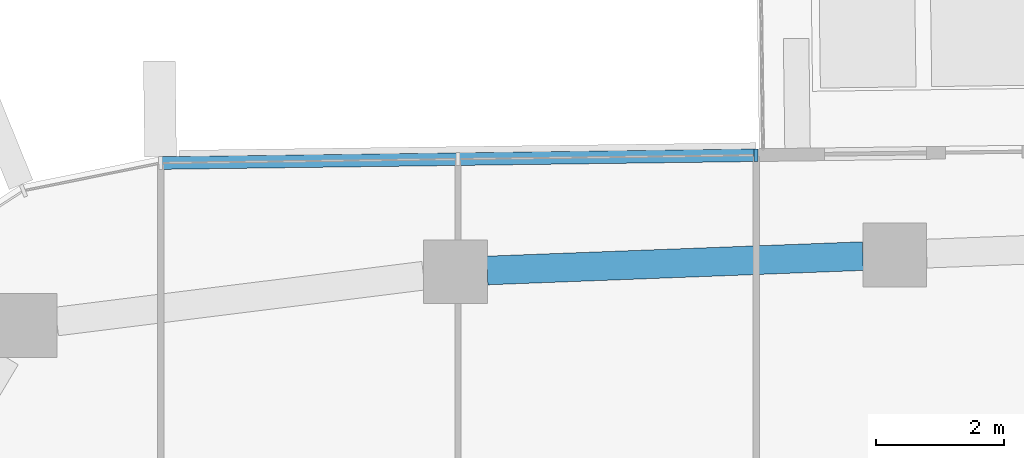
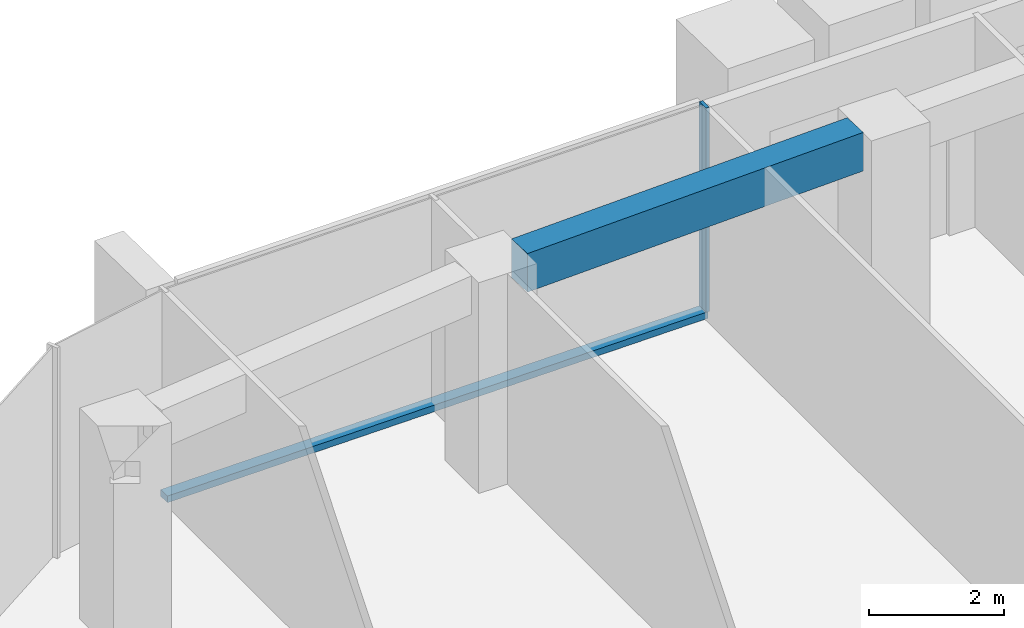
# One storey, part 7 of 23: 2 members, 1 beam, 1 element without a shape of its own.
"""IFC4 building model written with IfcOpenShell, lengths in metres."""

from ifc_helpers import new_model, si_unit, direction, frame, origin, origin_2d, place, context, subcontext, project, spatial, rectangle, extrude, material, layer, layer_set, material_profile, profile_set, type_object, element, aggregate, save


model = new_model("IFC4")

# Units and contexts
model_context = context("Model", 3, precision=1e-05, world=origin(), true_north=direction((0.0, 1.0)))
body_context = subcontext(model_context, "Body", "Model", "MODEL_VIEW")
ifc_project = project(units=[si_unit("LENGTHUNIT", "METRE"), si_unit("AREAUNIT", "SQUARE_METRE"), si_unit("VOLUMEUNIT", "CUBIC_METRE"), si_unit("PLANEANGLEUNIT", "RADIAN"), si_unit("MASSUNIT", "GRAM", prefix="KILO")], contexts=[model_context])

# Site, building, storey
site_placement = place(None, origin())
site = spatial("IfcSite", under=ifc_project, at=site_placement, CompositionType="ELEMENT")
building_placement = place(site_placement, origin())
building = spatial("IfcBuilding", under=site, at=building_placement, Name="Dongbaek Canopy Tower", CompositionType="ELEMENT")
storey_placement = place(building_placement, frame((0.0, 0.0, 336.199951171875)))
storey = spatial("IfcBuildingStorey", under=building, at=storey_placement, Name="L72", CompositionType="ELEMENT", Elevation=336.199951171875)

# Curtain wall, members
ifc_material_1 = material(Name="Aluminium 6063-T6 pale anodised", Category="aluminium")
ifc_layer = layer(ifc_material_1, 0.199951171875)
ifc_layer_set = layer_set([ifc_layer], Name="CW-1 unitised tower curtain wall")
curtain_wall_type = type_object("IfcCurtainWallType", Name="CW-1 unitised tower curtain wall", PredefinedType="NOTDEFINED", material=ifc_layer_set)
curtain_wall_placement = place(storey_placement, origin())
curtain_wall = element("IfcCurtainWall", 1, at=curtain_wall_placement, inside=storey, type_object=curtain_wall_type, Name="CW-1 curtain wall F1.1", PredefinedType="NOTDEFINED")
ifc_material_2 = material(Name="Aluminium 6063-T6 pale anodised", Category="aluminium")
ifc_material_profile_1 = material_profile(ifc_material_2, rectangle(XDim=0.199951171875, YDim=0.06005859375, at=origin_2d()), Name="CW-1 mullion 60 x 200")
ifc_profile_set_1 = profile_set([ifc_material_profile_1], Name="Aluminium 6063-T6 pale anodised")
member_type_1 = type_object("IfcMemberType", Name="CW-1 mullion 60 x 200", PredefinedType="MULLION", material=ifc_profile_set_1)
member_1_placement = place(storey_placement, frame((-3.593505859375, 28.991943359375, 0.1201171875), z_axis=(0.0, 0.0, 1.0), x_axis=(-0.013165315653, 0.999913333476, 0.0)))
member_1 = element("IfcMember", 2, at=member_1_placement, type_object=member_type_1, Name="CW-1 mullion F1.1.1", PredefinedType="MULLION", context=body_context, shape_type="SweptSolid", body=[
    extrude(rectangle(XDim=0.199951171875, YDim=0.06005859375, at=origin_2d()), origin(), (0.0, 0.0, 1.0), 3.699951171875),
])
ifc_material_3 = material(Name="Aluminium 6063-T6 pale anodised", Category="aluminium")
ifc_material_profile_2 = material_profile(ifc_material_3, rectangle(XDim=0.199951171875, YDim=0.1201171875, at=origin_2d()), Name="CW-1 transom 120 x 200")
ifc_profile_set_2 = profile_set([ifc_material_profile_2], Name="Aluminium 6063-T6 pale anodised")
member_type_2 = type_object("IfcMemberType", Name="CW-1 transom 120 x 200", PredefinedType="USERDEFINED", material=ifc_profile_set_2)
member_2_placement = place(storey_placement, frame((-3.593505859375, 28.991943359375, 0.06005859375), z_axis=(-0.999913210689, -0.013174638141, 0.0), x_axis=(0.013174638141, -0.999913210689, 0.0)))
member_2 = element("IfcMember", 3, at=member_2_placement, type_object=member_type_2, Name="CW-1 transom F1.1.1", ObjectType="TRANSOM", PredefinedType="USERDEFINED", context=body_context, shape_type="SweptSolid", body=[
    extrude(rectangle(XDim=0.199951171875, YDim=0.1201171875, at=origin_2d()), origin(), (0.0, 0.0, 1.0), 9.339599609375),
])
aggregate(curtain_wall, [member_1, member_2])

# Beam
ifc_material_4 = material(Name="Concrete C60", Category="concrete")
ifc_material_profile_3 = material_profile(ifc_material_4, rectangle(XDim=0.449951171875, YDim=0.699951171875, at=origin_2d()), Name="RC EDGE BEAM 450x700 C60")
ifc_profile_set_3 = profile_set([ifc_material_profile_3], Name="Concrete C60")
beam_type = type_object("IfcBeamType", Name="RC EDGE BEAM 450x700 C60", PredefinedType="BEAM", material=ifc_profile_set_3)
beam_placement = place(storey_placement, frame((-7.80908203125, 27.18310546875, 3.469970703125), z_axis=(0.999267644391, 0.038264538061, 0.0), x_axis=(-0.038264538061, 0.999267644391, 0.0)))
element("IfcBeam", 4, at=beam_placement, inside=storey, type_object=beam_type, Name="EDGEBEAM:L72:14", PredefinedType="BEAM", context=body_context, shape_type="SweptSolid", body=[
    extrude(rectangle(XDim=0.449951171875, YDim=0.699951171875, at=origin_2d()), origin(), (0.0, 0.0, 1.0), 5.8955078125),
])

save(model, "model.ifc")
